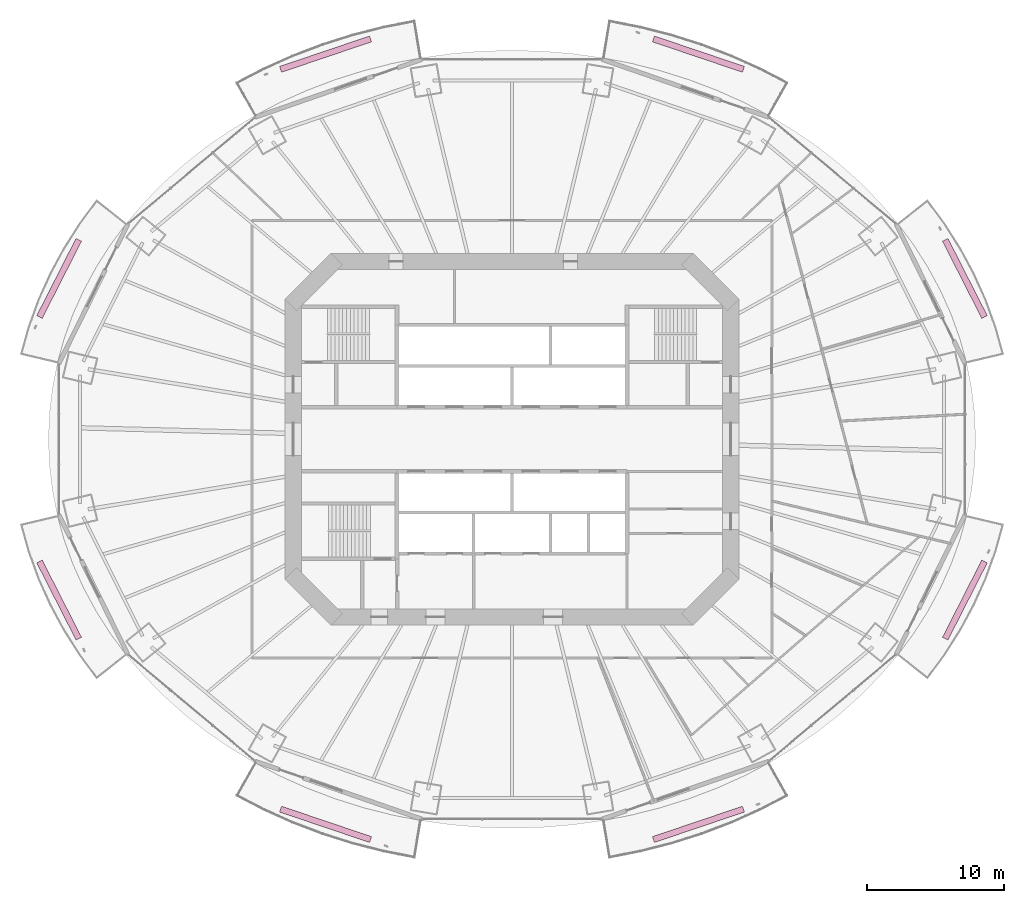
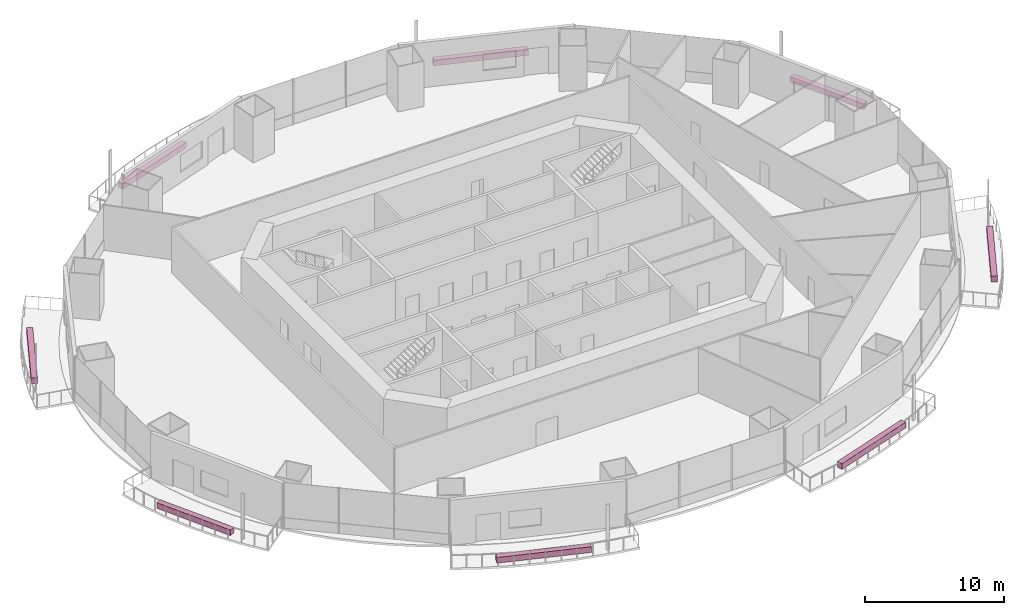
# One storey, part 21 of 21: 8 furnishings.
"""IFC4 building model written with IfcOpenShell, lengths in metres."""

from ifc_helpers import new_model, si_unit, direction, frame, origin, origin_2d, place, context, subcontext, project, spatial, rectangle, extrude, material, type_object, element, save


model = new_model("IFC4")

# Units and contexts
model_context = context("Model", 3, precision=1e-05, world=origin(), true_north=direction((0.0, 1.0)))
body_context = subcontext(model_context, "Body", "Model", "MODEL_VIEW")
ifc_project = project(units=[si_unit("LENGTHUNIT", "METRE"), si_unit("AREAUNIT", "SQUARE_METRE"), si_unit("VOLUMEUNIT", "CUBIC_METRE"), si_unit("PLANEANGLEUNIT", "RADIAN"), si_unit("MASSUNIT", "GRAM", prefix="KILO")], contexts=[model_context])

# Site, building, storey
site_placement = place(None, origin())
site = spatial("IfcSite", under=ifc_project, at=site_placement, CompositionType="ELEMENT")
building_placement = place(site_placement, origin())
building = spatial("IfcBuilding", under=site, at=building_placement, Name="Marenthal Gate Tower", CompositionType="ELEMENT")
storey_placement = place(building_placement, frame((0.0, 0.0, 124.300048828125)))
storey = spatial("IfcBuildingStorey", under=building, at=storey_placement, Name="L26", CompositionType="ELEMENT", Elevation=124.300048828125)

# Furnishings
ifc_material = material(Name="Planting soil and foliage", Category="planting")
furnishing_element_type = type_object("IfcFurnishingElementType", Name="Balcony PLANTER trough", material=ifc_material)
furnishing_1_placement = place(storey_placement, frame((33.116455078125, 11.7587890625, -0.0400390625), z_axis=(0.0, 0.0, 1.0), x_axis=(-0.453748760928, 0.891129654964, 0.0)))
element("IfcFurnishingElement", 1, at=furnishing_1_placement, inside=storey, type_object=furnishing_element_type, Name="Balcony PLANTER L26 bay 1", ObjectType="PLANTER", context=body_context, shape_type="SweptSolid", body=[
    extrude(rectangle(XDim=6.327880859375, YDim=0.449951171875, at=origin_2d()), origin(), (0.0, 0.0, 1.0), 0.5),
])
for number, where, z_axis, x_axis, name in (
    (2, (13.6357421875, 28.1591796875, -0.0400390625), (0.0, 0.0, 1.0), (-0.947328885127, 0.320262366513, 0.0), "Balcony PLANTER L26 bay 3"),
    (3, (-13.6357421875, 28.1591796875, -0.0400390625), (0.0, 0.0, 1.0), (-0.947328885127, -0.320262366513, 0.0), "Balcony PLANTER L26 bay 5"),
):
    element("IfcFurnishingElement", number, at=place(storey_placement, frame(where, z_axis=z_axis, x_axis=x_axis)), inside=storey, type_object=furnishing_element_type, Name=name, ObjectType="PLANTER", context=body_context, shape_type="SweptSolid", body=[
        extrude(rectangle(XDim=6.95068359375, YDim=0.449951171875, at=origin_2d()), origin(), (0.0, 0.0, 1.0), 0.5),
    ])
for number, where, z_axis, x_axis, name in (
    (4, (-33.116455078125, 11.7587890625, -0.0400390625), (0.0, 0.0, 1.0), (-0.453748760928, -0.891129654964, 0.0), "Balcony PLANTER L26 bay 7"),
    (5, (-33.116455078125, -11.7587890625, -0.0400390625), (0.0, 0.0, 1.0), (0.453748760928, -0.891129654964, 0.0), "Balcony PLANTER L26 bay 9"),
):
    element("IfcFurnishingElement", number, at=place(storey_placement, frame(where, z_axis=z_axis, x_axis=x_axis)), inside=storey, type_object=furnishing_element_type, Name=name, ObjectType="PLANTER", context=body_context, shape_type="SweptSolid", body=[
        extrude(rectangle(XDim=6.327880859375, YDim=0.449951171875, at=origin_2d()), origin(), (0.0, 0.0, 1.0), 0.5),
    ])
for number, where, z_axis, x_axis, name in (
    (6, (-13.6357421875, -28.1591796875, -0.0400390625), (0.0, 0.0, 1.0), (0.947328885127, -0.320262366513, 0.0), "Balcony PLANTER L26 bay 11"),
    (7, (13.6357421875, -28.1591796875, -0.0400390625), (0.0, 0.0, 1.0), (0.947328885127, 0.320262366513, 0.0), "Balcony PLANTER L26 bay 13"),
):
    element("IfcFurnishingElement", number, at=place(storey_placement, frame(where, z_axis=z_axis, x_axis=x_axis)), inside=storey, type_object=furnishing_element_type, Name=name, ObjectType="PLANTER", context=body_context, shape_type="SweptSolid", body=[
        extrude(rectangle(XDim=6.95068359375, YDim=0.449951171875, at=origin_2d()), origin(), (0.0, 0.0, 1.0), 0.5),
    ])
furnishing_2_placement = place(storey_placement, frame((33.116455078125, -11.7587890625, -0.0400390625), z_axis=(0.0, 0.0, 1.0), x_axis=(0.453748760928, 0.891129654964, 0.0)))
element("IfcFurnishingElement", 8, at=furnishing_2_placement, inside=storey, type_object=furnishing_element_type, Name="Balcony PLANTER L26 bay 15", ObjectType="PLANTER", context=body_context, shape_type="SweptSolid", body=[
    extrude(rectangle(XDim=6.327880859375, YDim=0.449951171875, at=origin_2d()), origin(), (0.0, 0.0, 1.0), 0.5),
])

save(model, "model.ifc")
